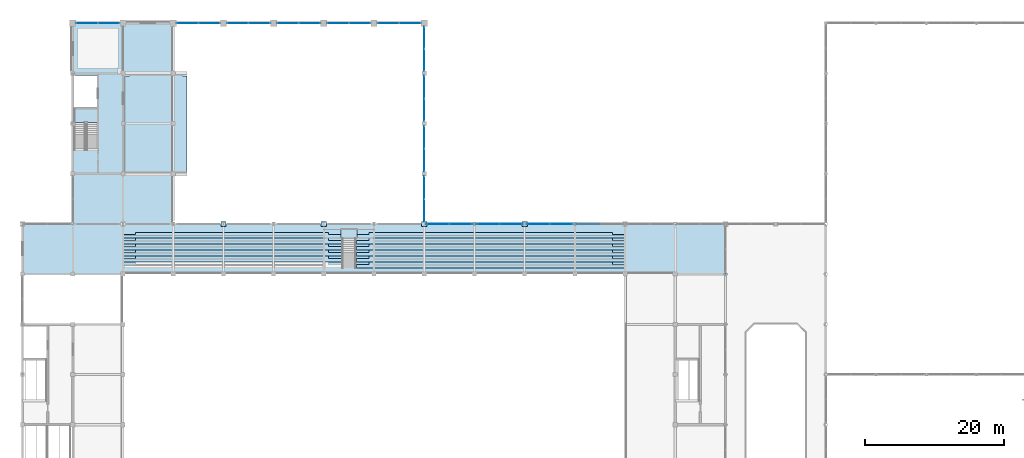
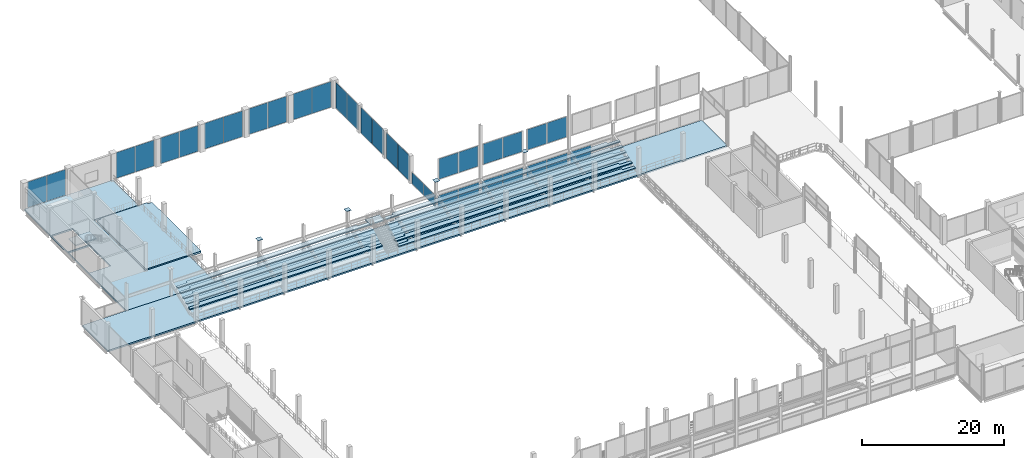
# One storey, part 83 of 120: 37 plates, 16 slabs, 18 elements without a shape of their own.
"""IFC4 building model written with IfcOpenShell, lengths in metres."""

import ifcopenshell
import ifcopenshell.guid

model = None  # the IFC model being written
_history = None  # IfcOwnerHistory: only IFC2X3 demands one
_inside = {}  # id of a spatial element -> (the spatial element, [elements in it])
_under = {}  # id of a project, library or spatial element -> (it, [spatial elements below it])
_declared = {}  # id of a project -> (the project, [libraries it declares])
_typed = {}  # id of a type object -> (the type object, [elements of that type])
_made_of = {}  # id of a material, layer set ... -> (it, [elements and type objects made of it])


def new_model(schema):
    """Start an empty IFC model of exactly this schema.

    Asked for "IFC4X3", IfcOpenShell would pick the latest addendum, in which some entities
    have other attributes; the version numbers below select the first issue.
    IFC2X3 requires an IfcOwnerHistory on every rooted entity: one is made here for all.
    """
    global model, _history
    if schema == "IFC4X3":
        model = ifcopenshell.file(schema_version=(4, 3, 0, 0))
    else:
        model = ifcopenshell.file(schema=schema)
    _inside.clear()
    _under.clear()
    _declared.clear()
    _typed.clear()
    _made_of.clear()
    _history = None
    if model.schema == "IFC2X3":
        org = make("IfcOrganization", Name="unknown")
        user = make(
            "IfcPersonAndOrganization",
            ThePerson=make("IfcPerson", FamilyName="unknown"),
            TheOrganization=org,
        )
        app = make(
            "IfcApplication",
            ApplicationDeveloper=org,
            Version="unknown",
            ApplicationFullName="unknown",
            ApplicationIdentifier="unknown",
        )
        _history = make(
            "IfcOwnerHistory",
            OwningUser=user,
            OwningApplication=app,
            ChangeAction="ADDED",
            CreationDate=0,
        )
    return model


def make(cls, **values):
    """One entity of the class cls with the attributes given. An attribute that is None is left unset."""
    return model.create_entity(
        cls, **{name: value for name, value in values.items() if value is not None}
    )


def rooted(cls, **values):
    """An entity with a GlobalId (a new one), such as an element, a storey or a relation."""
    return make(cls, GlobalId=ifcopenshell.guid.new(), OwnerHistory=_history, **values)


def si_unit(unit_type, name, prefix=None):
    """IfcSIUnit, for example si_unit("LENGTHUNIT", "METRE", prefix="MILLI")."""
    return make("IfcSIUnit", UnitType=unit_type, Prefix=prefix, Name=name)


def assignment(units):
    """IfcUnitAssignment: the units of a project."""
    return None if units is None else make("IfcUnitAssignment", Units=units)


def point(xyz):
    """IfcCartesianPoint."""
    return None if xyz is None else make("IfcCartesianPoint", Coordinates=xyz)


def direction(xyz):
    """IfcDirection."""
    return None if xyz is None else make("IfcDirection", DirectionRatios=xyz)


def frame(location, z_axis=None, x_axis=None):
    """IfcAxis2Placement3D, a coordinate frame: its origin and axes. An axis left out is left unset."""
    return make(
        "IfcAxis2Placement3D",
        Location=point(location),
        Axis=direction(z_axis),
        RefDirection=direction(x_axis),
    )


def frame_2d(location, x_axis=None):
    """IfcAxis2Placement2D, a coordinate frame in the plane: its origin and x axis."""
    return make(
        "IfcAxis2Placement2D", Location=point(location), RefDirection=direction(x_axis)
    )


def origin():
    """The frame at (0, 0, 0) with its axes left unset."""
    return frame((0.0, 0.0, 0.0))


def origin_2d():
    """The frame at (0, 0) in the plane with its x axis left unset."""
    return frame_2d((0.0, 0.0))


def place(relative_to, where):
    """IfcLocalPlacement: puts the frame where relative to a parent placement (None: the world)."""
    return make(
        "IfcLocalPlacement", PlacementRelTo=relative_to, RelativePlacement=where
    )


def context(
    kind, dimensions, precision=None, world=None, true_north=None, identifier=None
):
    """IfcGeometricRepresentationContext, for example the 3D "Model" context."""
    return make(
        "IfcGeometricRepresentationContext",
        ContextIdentifier=identifier,
        ContextType=kind,
        CoordinateSpaceDimension=dimensions,
        Precision=precision,
        WorldCoordinateSystem=world,
        TrueNorth=true_north,
    )


def subcontext(parent, identifier, kind, view, scale=None):
    """IfcGeometricRepresentationSubContext, for example "Body" below "Model"."""
    return make(
        "IfcGeometricRepresentationSubContext",
        ContextIdentifier=identifier,
        ContextType=kind,
        ParentContext=parent,
        TargetScale=scale,
        TargetView=view,
    )


def project(units=None, contexts=None):
    """IfcProject with its units and contexts."""
    return rooted(
        "IfcProject",
        Name="project",
        RepresentationContexts=contexts,
        UnitsInContext=assignment(units),
    )


def spatial(cls, under=None, at=None, **own):
    """A site, building, storey or space (cls), placed at a placement, below another one or the project."""
    s = rooted(cls, ObjectPlacement=at, **own)
    if under is not None:
        _under.setdefault(under.id(), (under, []))[1].append(s)
    return s


def polyline(points):
    """IfcPolyline through the points."""
    return make("IfcPolyline", Points=[point(p) for p in points])


def profile(cls, at=None, kind="AREA", **sizes):
    """A parametric profile (cls). Its sizes go by their IFC names, for example OverallWidth=200.0."""
    return make(cls, ProfileType=kind, Position=at, **sizes)


def rectangle(**sizes):
    """IfcRectangleProfileDef."""
    return profile("IfcRectangleProfileDef", **sizes)


def outline(outer, holes=None, kind="AREA"):
    """IfcArbitraryClosedProfileDef: a profile drawn as a closed curve; with holes, ...WithVoids."""
    if holes is None:
        return make("IfcArbitraryClosedProfileDef", ProfileType=kind, OuterCurve=outer)
    return make(
        "IfcArbitraryProfileDefWithVoids",
        ProfileType=kind,
        OuterCurve=outer,
        InnerCurves=holes,
    )


def extrude(swept, where, along, depth):
    """IfcExtrudedAreaSolid: the profile swept, set in the frame where, extruded along a direction by depth."""
    return make(
        "IfcExtrudedAreaSolid",
        SweptArea=swept,
        Position=where,
        ExtrudedDirection=direction(along),
        Depth=depth,
    )


def shape(context_of_items, identifier, shape_type, items):
    """IfcShapeRepresentation: the items that make up one representation, for example the "Body"."""
    return make(
        "IfcShapeRepresentation",
        ContextOfItems=context_of_items,
        RepresentationIdentifier=identifier,
        RepresentationType=shape_type,
        Items=items,
    )


def material(Name=None, Category=None):
    """IfcMaterial."""
    return make("IfcMaterial", Name=Name, Category=Category)


def layer(
    of_material, thickness, ventilated=None, Name=None, Category=None, Priority=None
):
    """IfcMaterialLayer: one layer of a wall or slab, of a material (None: an air gap)."""
    return make(
        "IfcMaterialLayer",
        Material=of_material,
        LayerThickness=thickness,
        IsVentilated=ventilated,
        Name=Name,
        Category=Category,
        Priority=Priority,
    )


def layer_set(layers, Name=None):
    """IfcMaterialLayerSet."""
    return make("IfcMaterialLayerSet", MaterialLayers=layers, LayerSetName=Name)


def made_of(thing, what):
    """Note that an element or type object is made of a material, layer set ...; save() writes the relation."""
    if what is not None:
        _made_of.setdefault(what.id(), (what, []))[1].append(thing)
    return thing


def type_object(cls, material=None, **own):
    """A type object (cls), such as IfcWallType, which elements share."""
    return made_of(rooted(cls, **own), material)


def element(
    cls,
    number,
    at=None,
    inside=None,
    cuts=None,
    type_object=None,
    material=None,
    context=None,
    identifier="Body",
    shape_type=None,
    held_by="IfcProductDefinitionShape",
    body=None,
    shapes=None,
    **own,
):
    """One element of the class cls, such as IfcWall. Its Tag is "e" and its number.

    at: its placement. inside: the storey or other place that contains it. cuts: it is an
    opening in that element (IfcRelVoidsElement). A single representation is given by context,
    identifier, shape_type and body (its items); several are given by shapes. held_by: the class
    of the entity that holds the representations. save() writes the other relations.
    """
    e = rooted(cls, Tag="e%d" % number, ObjectPlacement=at, **own)
    if body is not None:
        shapes = [shape(context, identifier, shape_type, body)]
    if shapes is not None:
        e.Representation = make(held_by, Representations=shapes)
    if inside is not None:
        _inside.setdefault(inside.id(), (inside, []))[1].append(e)
    if cuts is not None:
        rooted(
            "IfcRelVoidsElement", RelatingBuildingElement=cuts, RelatedOpeningElement=e
        )
    if type_object is not None:
        _typed.setdefault(type_object.id(), (type_object, []))[1].append(e)
    return made_of(e, material)


def aggregate(whole, parts):
    """IfcRelAggregates: a whole, such as a stair, and the parts it consists of."""
    return rooted("IfcRelAggregates", RelatingObject=whole, RelatedObjects=parts)


def save(model, path):
    """Write the relations noted so far, then the file.

    IfcRelAggregates (storeys below a building ...), IfcRelContainedInSpatialStructure (elements
    in a storey), IfcRelDefinesByType, IfcRelAssociatesMaterial and IfcRelDeclares: one each for
    every whole, place, type object, material and project.
    """
    for whole, parts in _under.values():
        aggregate(whole, parts)
    for where, things in _inside.values():
        rooted(
            "IfcRelContainedInSpatialStructure",
            RelatedElements=things,
            RelatingStructure=where,
        )
    for kind, things in _typed.values():
        rooted("IfcRelDefinesByType", RelatedObjects=things, RelatingType=kind)
    for what, things in _made_of.values():
        rooted("IfcRelAssociatesMaterial", RelatedObjects=things, RelatingMaterial=what)
    for by, libraries in _declared.values():
        rooted("IfcRelDeclares", RelatingContext=by, RelatedDefinitions=libraries)
    model.write(path)


model = new_model("IFC4")

# Units and contexts
model_context = context("Model", 3, precision=1e-05, world=origin(), true_north=direction((0.0, 1.0)))
body_context = subcontext(model_context, "Body", "Model", "MODEL_VIEW")
ifc_project = project(units=[si_unit("LENGTHUNIT", "METRE"), si_unit("AREAUNIT", "SQUARE_METRE"), si_unit("VOLUMEUNIT", "CUBIC_METRE"), si_unit("PLANEANGLEUNIT", "RADIAN"), si_unit("MASSUNIT", "GRAM", prefix="KILO")], contexts=[model_context])

# Site, building, storey
site_placement = place(None, origin())
site = spatial("IfcSite", under=ifc_project, at=site_placement, CompositionType="ELEMENT")
building_placement = place(site_placement, origin())
building = spatial("IfcBuilding", under=site, at=building_placement, Name="Vesperath Aquatics Centre", CompositionType="ELEMENT")
storey_placement = place(building_placement, frame((0.0, 0.0, 10.199951171875)))
storey = spatial("IfcBuildingStorey", under=building, at=storey_placement, Name="L02", CompositionType="ELEMENT", Elevation=10.199951171875)

# Plates
ifc_material_1 = material(Name="Steel Q355D", Category="steel")
ifc_layer_1 = layer(ifc_material_1, 0.035888671875)
ifc_layer_set_1 = layer_set([ifc_layer_1], Name="Steel Q355D")
plate_type_1 = type_object("IfcPlateType", Name="PT-BP02", PredefinedType="SHEET", material=ifc_layer_set_1)
for number, where, z_axis, x_axis, name in (
    (1, (28.800048828125, 86.39990234375, 4.76220703125), (0.0, 0.0, 1.0), (1.0, 0.0, 0.0), "Truss Bearing Base Plate NP02 G5/N"),
    (2, (43.199951171875, 86.39990234375, 4.76220703125), (0.0, 0.0, 1.0), (1.0, 0.0, 0.0), "Truss Bearing Base Plate NP02 G7/N"),
    (3, (57.60009765625, 86.39990234375, 4.76220703125), (0.0, 0.0, 1.0), (1.0, 0.0, 0.0), "Truss Bearing Base Plate NP02 G9/N"),
    (4, (72.0, 86.39990234375, 4.76220703125), (0.0, 0.0, 1.0), (1.0, 0.0, 0.0), "Truss Bearing Base Plate NP02 G11/N"),
):
    element("IfcPlate", number, at=place(storey_placement, frame(where, z_axis=z_axis, x_axis=x_axis)), inside=storey, type_object=plate_type_1, Name=name, PredefinedType="SHEET", context=body_context, shape_type="SweptSolid", body=[
        extrude(rectangle(XDim=0.75, YDim=0.75, at=origin_2d()), origin(), (0.0, 0.0, 1.0), 0.035888671875),
    ])

# Curtain wall, plates
ifc_material_2 = material(Name="Thermally broken anodised bronze aluminium curtain wall", Category="aluminium")
curtain_wall_type_1 = type_object("IfcCurtainWallType", Name="CW-02", PredefinedType="NOTDEFINED", material=ifc_material_2)
curtain_wall_1_placement = place(storey_placement, origin())
curtain_wall_1 = element("IfcCurtainWall", 5, at=curtain_wall_1_placement, inside=storey, type_object=curtain_wall_type_1, Name="Facade Curtain Wall CW02 L02_N_01_16", PredefinedType="NOTDEFINED")
ifc_material_3 = material(Name="Triple low-E argon insulated vision glass", Category="glass")
ifc_layer_2 = layer(ifc_material_3, 0.035888671875)
ifc_layer_set_2 = layer_set([ifc_layer_2], Name="Triple low-E argon insulated vision glass")
plate_type_2 = type_object("IfcPlateType", Name="PT-CWP02", PredefinedType="CURTAIN_PANEL", material=ifc_layer_set_2)
plate_1_placement = place(storey_placement, frame((9.242431640625, 115.199951171875, 0.070068359375), z_axis=(0.0, 0.0, 1.0), x_axis=(1.0, 0.0, 0.0)))
plate_1 = element("IfcPlate", 6, at=plate_1_placement, type_object=plate_type_2, Name="CW02 panel 1.1", PredefinedType="CURTAIN_PANEL", context=body_context, shape_type="SweptSolid", body=[
    extrude(rectangle(XDim=3.044921875, YDim=0.035888671875, at=origin_2d()), origin(), (0.0, 0.0, 1.0), 4.419921875),
])
plate_2_placement = place(storey_placement, frame((12.357421875, 115.199951171875, 0.070068359375), z_axis=(0.0, 0.0, 1.0), x_axis=(1.0, 0.0, 0.0)))
plate_2 = element("IfcPlate", 7, at=plate_2_placement, type_object=plate_type_2, Name="CW02 panel 2.1", PredefinedType="CURTAIN_PANEL", context=body_context, shape_type="SweptSolid", body=[
    extrude(rectangle(XDim=3.044921875, YDim=0.035888671875, at=origin_2d()), origin(), (0.0, 0.0, 1.0), 4.419921875),
])
aggregate(curtain_wall_1, [plate_1, plate_2])

curtain_wall_2_placement = place(storey_placement, origin())
curtain_wall_2 = element("IfcCurtainWall", 8, at=curtain_wall_2_placement, inside=storey, type_object=curtain_wall_type_1, Name="Facade Curtain Wall CW02 L02_N_03_16", PredefinedType="NOTDEFINED")
plate_3_placement = place(storey_placement, frame((23.642578125, 115.199951171875, 0.070068359375), z_axis=(0.0, 0.0, 1.0), x_axis=(1.0, 0.0, 0.0)))
plate_3 = element("IfcPlate", 9, at=plate_3_placement, type_object=plate_type_2, Name="CW02 panel 1.1", PredefinedType="CURTAIN_PANEL", context=body_context, shape_type="SweptSolid", body=[
    extrude(rectangle(XDim=3.044921875, YDim=0.035888671875, at=origin_2d()), origin(), (0.0, 0.0, 1.0), 4.419921875),
])
plate_4_placement = place(storey_placement, frame((26.757568359375, 115.199951171875, 0.070068359375), z_axis=(0.0, 0.0, 1.0), x_axis=(1.0, 0.0, 0.0)))
plate_4 = element("IfcPlate", 10, at=plate_4_placement, type_object=plate_type_2, Name="CW02 panel 2.1", PredefinedType="CURTAIN_PANEL", context=body_context, shape_type="SweptSolid", body=[
    extrude(rectangle(XDim=3.044921875, YDim=0.035888671875, at=origin_2d()), origin(), (0.0, 0.0, 1.0), 4.419921875),
])
aggregate(curtain_wall_2, [plate_3, plate_4])

curtain_wall_3_placement = place(storey_placement, origin())
curtain_wall_3 = element("IfcCurtainWall", 11, at=curtain_wall_3_placement, inside=storey, type_object=curtain_wall_type_1, Name="Facade Curtain Wall CW02 L02_N_04_16", PredefinedType="NOTDEFINED")
plate_5_placement = place(storey_placement, frame((30.842529296875, 115.199951171875, 0.070068359375), z_axis=(0.0, 0.0, 1.0), x_axis=(1.0, 0.0, 0.0)))
plate_5 = element("IfcPlate", 12, at=plate_5_placement, type_object=plate_type_2, Name="CW02 panel 1.1", PredefinedType="CURTAIN_PANEL", context=body_context, shape_type="SweptSolid", body=[
    extrude(rectangle(XDim=3.044921875, YDim=0.035888671875, at=origin_2d()), origin(), (0.0, 0.0, 1.0), 4.419921875),
])
plate_6_placement = place(storey_placement, frame((33.95751953125, 115.199951171875, 0.070068359375), z_axis=(0.0, 0.0, 1.0), x_axis=(1.0, 0.0, 0.0)))
plate_6 = element("IfcPlate", 13, at=plate_6_placement, type_object=plate_type_2, Name="CW02 panel 2.1", PredefinedType="CURTAIN_PANEL", context=body_context, shape_type="SweptSolid", body=[
    extrude(rectangle(XDim=3.044921875, YDim=0.035888671875, at=origin_2d()), origin(), (0.0, 0.0, 1.0), 4.419921875),
])
aggregate(curtain_wall_3, [plate_5, plate_6])

curtain_wall_4_placement = place(storey_placement, origin())
curtain_wall_4 = element("IfcCurtainWall", 14, at=curtain_wall_4_placement, inside=storey, type_object=curtain_wall_type_1, Name="Facade Curtain Wall CW02 L02_N_05_16", PredefinedType="NOTDEFINED")
plate_7_placement = place(storey_placement, frame((38.04248046875, 115.199951171875, 0.070068359375), z_axis=(0.0, 0.0, 1.0), x_axis=(1.0, 0.0, 0.0)))
plate_7 = element("IfcPlate", 15, at=plate_7_placement, type_object=plate_type_2, Name="CW02 panel 1.1", PredefinedType="CURTAIN_PANEL", context=body_context, shape_type="SweptSolid", body=[
    extrude(rectangle(XDim=3.044921875, YDim=0.035888671875, at=origin_2d()), origin(), (0.0, 0.0, 1.0), 4.419921875),
])
plate_8_placement = place(storey_placement, frame((41.157470703125, 115.199951171875, 0.070068359375), z_axis=(0.0, 0.0, 1.0), x_axis=(1.0, 0.0, 0.0)))
plate_8 = element("IfcPlate", 16, at=plate_8_placement, type_object=plate_type_2, Name="CW02 panel 2.1", PredefinedType="CURTAIN_PANEL", context=body_context, shape_type="SweptSolid", body=[
    extrude(rectangle(XDim=3.044921875, YDim=0.035888671875, at=origin_2d()), origin(), (0.0, 0.0, 1.0), 4.419921875),
])
aggregate(curtain_wall_4, [plate_7, plate_8])

curtain_wall_5_placement = place(storey_placement, origin())
curtain_wall_5 = element("IfcCurtainWall", 17, at=curtain_wall_5_placement, inside=storey, type_object=curtain_wall_type_1, Name="Facade Curtain Wall CW02 L02_N_06_16", PredefinedType="NOTDEFINED")
plate_9_placement = place(storey_placement, frame((45.242431640625, 115.199951171875, 0.070068359375), z_axis=(0.0, 0.0, 1.0), x_axis=(1.0, 0.0, 0.0)))
plate_9 = element("IfcPlate", 18, at=plate_9_placement, type_object=plate_type_2, Name="CW02 panel 1.1", PredefinedType="CURTAIN_PANEL", context=body_context, shape_type="SweptSolid", body=[
    extrude(rectangle(XDim=3.044921875, YDim=0.035888671875, at=origin_2d()), origin(), (0.0, 0.0, 1.0), 4.419921875),
])
plate_10_placement = place(storey_placement, frame((48.357421875, 115.199951171875, 0.070068359375), z_axis=(0.0, 0.0, 1.0), x_axis=(1.0, 0.0, 0.0)))
plate_10 = element("IfcPlate", 19, at=plate_10_placement, type_object=plate_type_2, Name="CW02 panel 2.1", PredefinedType="CURTAIN_PANEL", context=body_context, shape_type="SweptSolid", body=[
    extrude(rectangle(XDim=3.044921875, YDim=0.035888671875, at=origin_2d()), origin(), (0.0, 0.0, 1.0), 4.419921875),
])
aggregate(curtain_wall_5, [plate_9, plate_10])

curtain_wall_6_placement = place(storey_placement, origin())
curtain_wall_6 = element("IfcCurtainWall", 20, at=curtain_wall_6_placement, inside=storey, type_object=curtain_wall_type_1, Name="Facade Curtain Wall CW02 L02_N_07_16", PredefinedType="NOTDEFINED")
plate_11_placement = place(storey_placement, frame((52.4423828125, 115.199951171875, 0.070068359375), z_axis=(0.0, 0.0, 1.0), x_axis=(1.0, 0.0, 0.0)))
plate_11 = element("IfcPlate", 21, at=plate_11_placement, type_object=plate_type_2, Name="CW02 panel 1.1", PredefinedType="CURTAIN_PANEL", context=body_context, shape_type="SweptSolid", body=[
    extrude(rectangle(XDim=3.044921875, YDim=0.035888671875, at=origin_2d()), origin(), (0.0, 0.0, 1.0), 4.419921875),
])
plate_12_placement = place(storey_placement, frame((55.5576171875, 115.199951171875, 0.070068359375), z_axis=(0.0, 0.0, 1.0), x_axis=(1.0, 0.0, 0.0)))
plate_12 = element("IfcPlate", 22, at=plate_12_placement, type_object=plate_type_2, Name="CW02 panel 2.1", PredefinedType="CURTAIN_PANEL", context=body_context, shape_type="SweptSolid", body=[
    extrude(rectangle(XDim=3.044921875, YDim=0.035888671875, at=origin_2d()), origin(), (0.0, 0.0, 1.0), 4.419921875),
])
aggregate(curtain_wall_6, [plate_11, plate_12])

curtain_wall_type_2 = type_object("IfcCurtainWallType", Name="CW-06", PredefinedType="NOTDEFINED", material=ifc_material_2)
curtain_wall_7_placement = place(storey_placement, origin())
curtain_wall_7 = element("IfcCurtainWall", 23, at=curtain_wall_7_placement, inside=storey, type_object=curtain_wall_type_2, Name="Facade Curtain Wall CW06 L02_N_08_12", PredefinedType="NOTDEFINED")
ifc_layer_3 = layer(ifc_material_3, 0.035888671875)
ifc_layer_set_3 = layer_set([ifc_layer_3], Name="Triple low-E argon insulated vision glass")
plate_type_3 = type_object("IfcPlateType", Name="PT-CWP05", PredefinedType="CURTAIN_PANEL", material=ifc_layer_set_3)
plate_13_placement = place(storey_placement, frame((59.519287109375, 86.39990234375, 0.070068359375), z_axis=(0.0, 0.0, 1.0), x_axis=(1.0, 0.0, 0.0)))
plate_13 = element("IfcPlate", 24, at=plate_13_placement, type_object=plate_type_3, Name="CW06 panel 1.1", PredefinedType="CURTAIN_PANEL", context=body_context, shape_type="SweptSolid", body=[
    extrude(rectangle(XDim=3.29150390625, YDim=0.035888671875, at=origin_2d()), origin(), (0.0, 0.0, 1.0), 1.93994140625),
])
plate_14_placement = place(storey_placement, frame((62.880859375, 86.39990234375, 0.070068359375), z_axis=(0.0, 0.0, 1.0), x_axis=(1.0, 0.0, 0.0)))
plate_14 = element("IfcPlate", 25, at=plate_14_placement, type_object=plate_type_3, Name="CW06 panel 2.1", PredefinedType="CURTAIN_PANEL", context=body_context, shape_type="SweptSolid", body=[
    extrude(rectangle(XDim=3.29150390625, YDim=0.035888671875, at=origin_2d()), origin(), (0.0, 0.0, 1.0), 1.93994140625),
])
aggregate(curtain_wall_7, [plate_13, plate_14])

curtain_wall_8_placement = place(storey_placement, origin())
curtain_wall_8 = element("IfcCurtainWall", 26, at=curtain_wall_8_placement, inside=storey, type_object=curtain_wall_type_2, Name="Facade Curtain Wall CW06 L02_N_09_12", PredefinedType="NOTDEFINED")
plate_15_placement = place(storey_placement, frame((66.71923828125, 86.39990234375, 0.070068359375), z_axis=(0.0, 0.0, 1.0), x_axis=(1.0, 0.0, 0.0)))
plate_15 = element("IfcPlate", 27, at=plate_15_placement, type_object=plate_type_3, Name="CW06 panel 1.1", PredefinedType="CURTAIN_PANEL", context=body_context, shape_type="SweptSolid", body=[
    extrude(rectangle(XDim=3.29150390625, YDim=0.035888671875, at=origin_2d()), origin(), (0.0, 0.0, 1.0), 1.93994140625),
])
plate_16_placement = place(storey_placement, frame((70.080810546875, 86.39990234375, 0.070068359375), z_axis=(0.0, 0.0, 1.0), x_axis=(1.0, 0.0, 0.0)))
plate_16 = element("IfcPlate", 28, at=plate_16_placement, type_object=plate_type_3, Name="CW06 panel 2.1", PredefinedType="CURTAIN_PANEL", context=body_context, shape_type="SweptSolid", body=[
    extrude(rectangle(XDim=3.29150390625, YDim=0.035888671875, at=origin_2d()), origin(), (0.0, 0.0, 1.0), 1.93994140625),
])
aggregate(curtain_wall_8, [plate_15, plate_16])

curtain_wall_9_placement = place(storey_placement, origin())
curtain_wall_9 = element("IfcCurtainWall", 29, at=curtain_wall_9_placement, inside=storey, type_object=curtain_wall_type_2, Name="Facade Curtain Wall CW06 L02_N_10_12", PredefinedType="NOTDEFINED")
plate_17_placement = place(storey_placement, frame((73.919189453125, 86.39990234375, 0.070068359375), z_axis=(0.0, 0.0, 1.0), x_axis=(1.0, 0.0, 0.0)))
plate_17 = element("IfcPlate", 30, at=plate_17_placement, type_object=plate_type_3, Name="CW06 panel 1.1", PredefinedType="CURTAIN_PANEL", context=body_context, shape_type="SweptSolid", body=[
    extrude(rectangle(XDim=3.29150390625, YDim=0.035888671875, at=origin_2d()), origin(), (0.0, 0.0, 1.0), 1.93994140625),
])
plate_18_placement = place(storey_placement, frame((77.28076171875, 86.39990234375, 0.070068359375), z_axis=(0.0, 0.0, 1.0), x_axis=(1.0, 0.0, 0.0)))
plate_18 = element("IfcPlate", 31, at=plate_18_placement, type_object=plate_type_3, Name="CW06 panel 2.1", PredefinedType="CURTAIN_PANEL", context=body_context, shape_type="SweptSolid", body=[
    extrude(rectangle(XDim=3.29150390625, YDim=0.035888671875, at=origin_2d()), origin(), (0.0, 0.0, 1.0), 1.93994140625),
])
aggregate(curtain_wall_9, [plate_17, plate_18])

# Curtain wall, plate
curtain_wall_10_placement = place(storey_placement, origin())
curtain_wall_10 = element("IfcCurtainWall", 32, at=curtain_wall_10_placement, inside=storey, type_object=curtain_wall_type_2, Name="Facade Curtain Wall CW06 L02_N_11_12", PredefinedType="NOTDEFINED")
plate_19_placement = place(storey_placement, frame((81.119140625, 86.39990234375, 0.070068359375), z_axis=(0.0, 0.0, 1.0), x_axis=(1.0, 0.0, 0.0)))
plate_19 = element("IfcPlate", 33, at=plate_19_placement, type_object=plate_type_3, Name="CW06 panel 1.1", PredefinedType="CURTAIN_PANEL", context=body_context, shape_type="SweptSolid", body=[
    extrude(rectangle(XDim=3.29150390625, YDim=0.035888671875, at=origin_2d()), origin(), (0.0, 0.0, 1.0), 1.93994140625),
])
aggregate(curtain_wall_10, [plate_19])

# Curtain wall, plates
curtain_wall_11_placement = place(storey_placement, origin())
curtain_wall_11 = element("IfcCurtainWall", 34, at=curtain_wall_11_placement, inside=storey, type_object=curtain_wall_type_2, Name="Facade Curtain Wall CW06 L02_E_08_12", PredefinedType="NOTDEFINED")
plate_20_placement = place(storey_placement, frame((57.60009765625, 88.302978515625, 0.070068359375), z_axis=(0.0, 0.0, 1.0), x_axis=(0.0, 1.0, 0.0)))
plate_20 = element("IfcPlate", 35, at=plate_20_placement, type_object=plate_type_3, Name="CW06 panel 1.1", PredefinedType="CURTAIN_PANEL", context=body_context, shape_type="SweptSolid", body=[
    extrude(rectangle(XDim=3.238037109375, YDim=0.035888671875, at=origin_2d()), origin(), (0.0, 0.0, 1.0), 1.9599609375),
])
plate_21_placement = place(storey_placement, frame((57.60009765625, 91.611083984375, 0.070068359375), z_axis=(0.0, 0.0, 1.0), x_axis=(0.0, 1.0, 0.0)))
plate_21 = element("IfcPlate", 36, at=plate_21_placement, type_object=plate_type_3, Name="CW06 panel 2.1", PredefinedType="CURTAIN_PANEL", context=body_context, shape_type="SweptSolid", body=[
    extrude(rectangle(XDim=3.238037109375, YDim=0.035888671875, at=origin_2d()), origin(), (0.0, 0.0, 1.0), 1.9599609375),
])
aggregate(curtain_wall_11, [plate_20, plate_21])

curtain_wall_12_placement = place(storey_placement, origin())
curtain_wall_12 = element("IfcCurtainWall", 37, at=curtain_wall_12_placement, inside=storey, type_object=curtain_wall_type_2, Name="Facade Curtain Wall CW06 L02_E_08_13", PredefinedType="NOTDEFINED")
plate_22_placement = place(storey_placement, frame((57.60009765625, 95.5673828125, 0.070068359375), z_axis=(0.0, 0.0, 1.0), x_axis=(0.0, 1.0, 0.0)))
plate_22 = element("IfcPlate", 38, at=plate_22_placement, type_object=plate_type_3, Name="CW06 panel 1.1", PredefinedType="CURTAIN_PANEL", context=body_context, shape_type="SweptSolid", body=[
    extrude(rectangle(XDim=3.195068359375, YDim=0.035888671875, at=origin_2d()), origin(), (0.0, 0.0, 1.0), 4.419921875),
])
plate_23_placement = place(storey_placement, frame((57.60009765625, 98.83251953125, 0.070068359375), z_axis=(0.0, 0.0, 1.0), x_axis=(0.0, 1.0, 0.0)))
plate_23 = element("IfcPlate", 39, at=plate_23_placement, type_object=plate_type_3, Name="CW06 panel 2.1", PredefinedType="CURTAIN_PANEL", context=body_context, shape_type="SweptSolid", body=[
    extrude(rectangle(XDim=3.195068359375, YDim=0.035888671875, at=origin_2d()), origin(), (0.0, 0.0, 1.0), 4.419921875),
])
aggregate(curtain_wall_12, [plate_22, plate_23])

curtain_wall_13_placement = place(storey_placement, origin())
curtain_wall_13 = element("IfcCurtainWall", 40, at=curtain_wall_13_placement, inside=storey, type_object=curtain_wall_type_2, Name="Facade Curtain Wall CW06 L02_E_08_14", PredefinedType="NOTDEFINED")
plate_24_placement = place(storey_placement, frame((57.60009765625, 102.767578125, 0.070068359375), z_axis=(0.0, 0.0, 1.0), x_axis=(0.0, 1.0, 0.0)))
plate_24 = element("IfcPlate", 41, at=plate_24_placement, type_object=plate_type_3, Name="CW06 panel 1.1", PredefinedType="CURTAIN_PANEL", context=body_context, shape_type="SweptSolid", body=[
    extrude(rectangle(XDim=3.195068359375, YDim=0.035888671875, at=origin_2d()), origin(), (0.0, 0.0, 1.0), 4.419921875),
])
plate_25_placement = place(storey_placement, frame((57.60009765625, 106.032470703125, 0.070068359375), z_axis=(0.0, 0.0, 1.0), x_axis=(0.0, 1.0, 0.0)))
plate_25 = element("IfcPlate", 42, at=plate_25_placement, type_object=plate_type_3, Name="CW06 panel 2.1", PredefinedType="CURTAIN_PANEL", context=body_context, shape_type="SweptSolid", body=[
    extrude(rectangle(XDim=3.195068359375, YDim=0.035888671875, at=origin_2d()), origin(), (0.0, 0.0, 1.0), 4.419921875),
])
aggregate(curtain_wall_13, [plate_24, plate_25])

curtain_wall_14_placement = place(storey_placement, origin())
curtain_wall_14 = element("IfcCurtainWall", 43, at=curtain_wall_14_placement, inside=storey, type_object=curtain_wall_type_2, Name="Facade Curtain Wall CW06 L02_E_08_15", PredefinedType="NOTDEFINED")
plate_26_placement = place(storey_placement, frame((57.60009765625, 109.929931640625, 0.070068359375), z_axis=(0.0, 0.0, 1.0), x_axis=(0.0, 1.0, 0.0)))
plate_26 = element("IfcPlate", 44, at=plate_26_placement, type_object=plate_type_3, Name="CW06 panel 1.1", PredefinedType="CURTAIN_PANEL", context=body_context, shape_type="SweptSolid", body=[
    extrude(rectangle(XDim=3.1201171875, YDim=0.035888671875, at=origin_2d()), origin(), (0.0, 0.0, 1.0), 4.419921875),
])
plate_27_placement = place(storey_placement, frame((57.60009765625, 113.1201171875, 0.070068359375), z_axis=(0.0, 0.0, 1.0), x_axis=(0.0, 1.0, 0.0)))
plate_27 = element("IfcPlate", 45, at=plate_27_placement, type_object=plate_type_3, Name="CW06 panel 2.1", PredefinedType="CURTAIN_PANEL", context=body_context, shape_type="SweptSolid", body=[
    extrude(rectangle(XDim=3.1201171875, YDim=0.035888671875, at=origin_2d()), origin(), (0.0, 0.0, 1.0), 4.419921875),
])
aggregate(curtain_wall_14, [plate_26, plate_27])

curtain_wall_type_3 = type_object("IfcCurtainWallType", Name="CW-08", PredefinedType="NOTDEFINED", material=ifc_material_2)
curtain_wall_15_placement = place(storey_placement, origin())
curtain_wall_15 = element("IfcCurtainWall", 46, at=curtain_wall_15_placement, inside=storey, type_object=curtain_wall_type_3, Name="Natatorium Gable West Curtain Wall CW08 N-5W", PredefinedType="NOTDEFINED")
ifc_layer_4 = layer(ifc_material_3, 0.035888671875)
ifc_layer_set_4 = layer_set([ifc_layer_4], Name="Triple low-E argon insulated vision glass")
plate_type_4 = type_object("IfcPlateType", Name="PT-CWP07", PredefinedType="CURTAIN_PANEL", material=ifc_layer_set_4)
plate_28_placement = place(storey_placement, frame((59.59375, 86.39990234375, 4.824951171875), z_axis=(0.0, 0.0, 1.0), x_axis=(1.0, 0.0, 0.0)))
plate_28 = element("IfcPlate", 47, at=plate_28_placement, type_object=plate_type_4, Name="CW08 panel 1.1", PredefinedType="CURTAIN_PANEL", context=body_context, shape_type="SweptSolid", body=[
    extrude(rectangle(XDim=3.137451171875, YDim=0.035888671875, at=origin_2d()), origin(), (0.0, 0.0, 1.0), 3.5),
])
plate_29_placement = place(storey_placement, frame((62.80615234375, 86.39990234375, 4.824951171875), z_axis=(0.0, 0.0, 1.0), x_axis=(1.0, 0.0, 0.0)))
plate_29 = element("IfcPlate", 48, at=plate_29_placement, type_object=plate_type_4, Name="CW08 panel 2.1", PredefinedType="CURTAIN_PANEL", context=body_context, shape_type="SweptSolid", body=[
    extrude(rectangle(XDim=3.137451171875, YDim=0.035888671875, at=origin_2d()), origin(), (0.0, 0.0, 1.0), 3.5),
])
aggregate(curtain_wall_15, [plate_28, plate_29])

curtain_wall_16_placement = place(storey_placement, origin())
curtain_wall_16 = element("IfcCurtainWall", 49, at=curtain_wall_16_placement, inside=storey, type_object=curtain_wall_type_3, Name="Natatorium Gable East Curtain Wall CW08 N-5E", PredefinedType="NOTDEFINED")
plate_30_placement = place(storey_placement, frame((66.793701171875, 86.39990234375, 4.824951171875), z_axis=(0.0, 0.0, 1.0), x_axis=(1.0, 0.0, 0.0)))
plate_30 = element("IfcPlate", 50, at=plate_30_placement, type_object=plate_type_4, Name="CW08 panel 1.1", PredefinedType="CURTAIN_PANEL", context=body_context, shape_type="SweptSolid", body=[
    extrude(rectangle(XDim=3.137451171875, YDim=0.035888671875, at=origin_2d()), origin(), (0.0, 0.0, 1.0), 3.5),
])
plate_31_placement = place(storey_placement, frame((70.00634765625, 86.39990234375, 4.824951171875), z_axis=(0.0, 0.0, 1.0), x_axis=(1.0, 0.0, 0.0)))
plate_31 = element("IfcPlate", 51, at=plate_31_placement, type_object=plate_type_4, Name="CW08 panel 2.1", PredefinedType="CURTAIN_PANEL", context=body_context, shape_type="SweptSolid", body=[
    extrude(rectangle(XDim=3.137451171875, YDim=0.035888671875, at=origin_2d()), origin(), (0.0, 0.0, 1.0), 3.5),
])
aggregate(curtain_wall_16, [plate_30, plate_31])

curtain_wall_17_placement = place(storey_placement, origin())
curtain_wall_17 = element("IfcCurtainWall", 52, at=curtain_wall_17_placement, inside=storey, type_object=curtain_wall_type_3, Name="Natatorium Gable West Curtain Wall CW08 N-6W", PredefinedType="NOTDEFINED")
plate_32_placement = place(storey_placement, frame((73.99365234375, 86.39990234375, 4.824951171875), z_axis=(0.0, 0.0, 1.0), x_axis=(1.0, 0.0, 0.0)))
plate_32 = element("IfcPlate", 53, at=plate_32_placement, type_object=plate_type_4, Name="CW08 panel 1.1", PredefinedType="CURTAIN_PANEL", context=body_context, shape_type="SweptSolid", body=[
    extrude(rectangle(XDim=3.137451171875, YDim=0.035888671875, at=origin_2d()), origin(), (0.0, 0.0, 1.0), 3.5),
])
plate_33_placement = place(storey_placement, frame((77.206298828125, 86.39990234375, 4.824951171875), z_axis=(0.0, 0.0, 1.0), x_axis=(1.0, 0.0, 0.0)))
plate_33 = element("IfcPlate", 54, at=plate_33_placement, type_object=plate_type_4, Name="CW08 panel 2.1", PredefinedType="CURTAIN_PANEL", context=body_context, shape_type="SweptSolid", body=[
    extrude(rectangle(XDim=3.137451171875, YDim=0.035888671875, at=origin_2d()), origin(), (0.0, 0.0, 1.0), 3.5),
])
aggregate(curtain_wall_17, [plate_32, plate_33])

# Slabs
ifc_material_4 = material(Name="Concrete C40", Category="concrete")
ifc_layer_5 = layer(ifc_material_4, 0.320068359375)
ifc_layer_set_5 = layer_set([ifc_layer_5], Name="Concrete C40")
slab_type_1 = type_object("IfcSlabType", Name="SL-DP01", PredefinedType="FLOOR", material=ifc_layer_set_5)
slab_1_placement = place(storey_placement, frame((0.0, 0.0, -0.2548828125)))
element("IfcSlab", 55, at=slab_1_placement, inside=storey, type_object=slab_type_1, Name="Diving Platform Slab DP 10M", PredefinedType="FLOOR", context=body_context, shape_type="SweptSolid", body=[
    extrude(outline(polyline([(14.60009765625, 93.75), (23.60009765625, 93.75), (23.60009765625, 107.60009765625), (22.89990234375, 107.60009765625), (22.89990234375, 107.85009765625), (15.300048828125, 107.85009765625), (15.300048828125, 107.60009765625), (14.60009765625, 107.60009765625), (14.60009765625, 93.75)])), origin(), (0.0, 0.0, 1.0), 0.31982421875),
])
ifc_material_5 = material(Name="Concrete C35", Category="concrete")
ifc_layer_6 = layer(ifc_material_5, 0.260009765625)
ifc_layer_set_6 = layer_set([ifc_layer_6], Name="Concrete C35")
slab_type_2 = type_object("IfcSlabType", Name="SL-FL02", PredefinedType="FLOOR", material=ifc_layer_set_6)
slab_2_placement = place(storey_placement, frame((0.0, 0.0, -0.260009765625)))
element("IfcSlab", 56, at=slab_2_placement, inside=storey, type_object=slab_type_2, Name="Upper North Media Gallery Slab SL02 L02", PredefinedType="FLOOR", context=body_context, shape_type="SweptSolid", body=[
    extrude(outline(polyline([(0.0, 79.199951171875), (100.800048828125, 79.199951171875), (100.800048828125, 86.39990234375), (0.0, 86.39990234375), (0.0, 79.199951171875)])), origin(), (0.0, 0.0, 1.0), 0.260009765625),
])
slab_3_placement = place(storey_placement, frame((0.0, 0.0, -0.260009765625)))
element("IfcSlab", 57, at=slab_3_placement, inside=storey, type_object=slab_type_2, Name="Dryland Diving Hall Slab SL02 L02", PredefinedType="FLOOR", context=body_context, shape_type="SweptSolid", body=[
    extrude(outline(polyline([(7.199951171875, 86.39990234375), (21.60009765625, 86.39990234375), (21.60009765625, 93.60009765625), (14.39990234375, 93.60009765625), (14.39990234375, 108.0), (21.60009765625, 108.0), (21.60009765625, 115.199951171875), (7.199951171875, 115.199951171875), (7.199951171875, 86.39990234375)]), holes=[polyline([(7.280029296875, 97.050048828125), (10.739990234375, 97.050048828125), (10.739990234375, 102.9599609375), (7.280029296875, 102.9599609375), (7.280029296875, 97.050048828125)]), polyline([(7.280029296875, 103.139892578125), (10.739990234375, 103.139892578125), (10.739990234375, 107.679931640625), (7.280029296875, 107.679931640625), (7.280029296875, 103.139892578125)])]), origin(), (0.0, 0.0, 1.0), 0.260009765625),
])
ifc_layer_7 = layer(ifc_material_5, 0.219970703125)
ifc_layer_set_7 = layer_set([ifc_layer_7], Name="Concrete C35")
slab_type_3 = type_object("IfcSlabType", Name="SL-FL04", PredefinedType="FLOOR", material=ifc_layer_set_7)
slab_4_placement = place(storey_placement, frame((0.0, 0.0, 2.429931640625)))
element("IfcSlab", 58, at=slab_4_placement, inside=storey, type_object=slab_type_3, Name="Upper Vomitory Top Landing Slab VOM08", PredefinedType="FLOOR", context=body_context, shape_type="SweptSolid", body=[
    extrude(outline(polyline([(45.64990234375, 84.297119140625), (47.949951171875, 84.297119140625), (47.949951171875, 85.719970703125), (45.64990234375, 85.719970703125), (45.64990234375, 84.297119140625)])), origin(), (0.0, 0.0, 1.0), 0.22021484375),
])

# Stair, slab
stair_type = type_object("IfcStairType", Name="ST-HT48", PredefinedType="HALF_TURN_STAIR", material=ifc_material_5)
stair_placement = place(storey_placement, origin())
stair = element("IfcStair", 59, at=stair_placement, inside=storey, type_object=stair_type, Name="Enclosed Exit Stair ST3 L02", PredefinedType="HALF_TURN_STAIR")
ifc_layer_8 = layer(ifc_material_5, 0.199951171875)
ifc_layer_set_8 = layer_set([ifc_layer_8], Name="Concrete C35")
slab_type_4 = type_object("IfcSlabType", Name="SL-LND1", PredefinedType="LANDING", material=ifc_layer_set_8)
slab_5_placement = place(storey_placement, frame((0.0, 0.0, 2.199951171875)))
slab_5 = element("IfcSlab", 60, at=slab_5_placement, type_object=slab_type_4, Name="Stair ST3 Half-Landing L02", PredefinedType="LANDING", context=body_context, shape_type="SweptSolid", body=[
    extrude(outline(polyline([(7.2900390625, 100.93994140625), (10.719970703125, 100.93994140625), (10.719970703125, 102.89990234375), (7.2900390625, 102.89990234375), (7.2900390625, 100.93994140625)])), origin(), (0.0, 0.0, 1.0), 0.2001953125),
])
aggregate(stair, [slab_5])

# Slabs
ifc_material_6 = material(Name="Precast concrete C35", Category="concrete")
ifc_layer_9 = layer(ifc_material_6, 0.179931640625)
ifc_layer_set_9 = layer_set([ifc_layer_9], Name="Precast concrete C35")
slab_type_5 = type_object("IfcSlabType", Name="SL-ST01", PredefinedType="USERDEFINED", material=ifc_layer_set_9)
slab_6_placement = place(storey_placement, frame((0.0, 0.0, 0.469970703125)))
element("IfcSlab", 61, at=slab_6_placement, inside=storey, type_object=slab_type_5, Name="Stand Upper North U2 Row 1", ObjectType="SEATING TIER", PredefinedType="USERDEFINED", context=body_context, shape_type="SweptSolid", body=[
    extrude(outline(polyline([(47.89990234375, 80.10009765625), (86.39990234375, 80.10009765625), (86.39990234375, 80.610107421875), (84.60009765625, 80.610107421875), (84.60009765625, 80.949951171875), (49.699951171875, 80.949951171875), (49.699951171875, 80.610107421875), (47.89990234375, 80.610107421875), (47.89990234375, 80.10009765625)])), origin(), (0.0, 0.0, 1.0), 0.18017578125),
])
slab_7_placement = place(storey_placement, frame((0.0, 0.0, 0.8701171875)))
element("IfcSlab", 62, at=slab_7_placement, inside=storey, type_object=slab_type_5, Name="Stand Upper North U1 Row 2", ObjectType="SEATING TIER", PredefinedType="USERDEFINED", context=body_context, shape_type="SweptSolid", body=[
    extrude(outline(polyline([(14.39990234375, 80.949951171875), (45.699951171875, 80.949951171875), (45.699951171875, 81.4599609375), (43.89990234375, 81.4599609375), (43.89990234375, 81.800048828125), (16.199951171875, 81.800048828125), (16.199951171875, 81.4599609375), (14.39990234375, 81.4599609375), (14.39990234375, 80.949951171875)])), origin(), (0.0, 0.0, 1.0), 0.179931640625),
])
slab_8_placement = place(storey_placement, frame((0.0, 0.0, 0.8701171875)))
element("IfcSlab", 63, at=slab_8_placement, inside=storey, type_object=slab_type_5, Name="Stand Upper North U2 Row 2", ObjectType="SEATING TIER", PredefinedType="USERDEFINED", context=body_context, shape_type="SweptSolid", body=[
    extrude(outline(polyline([(47.89990234375, 80.949951171875), (86.39990234375, 80.949951171875), (86.39990234375, 81.4599609375), (84.60009765625, 81.4599609375), (84.60009765625, 81.800048828125), (49.699951171875, 81.800048828125), (49.699951171875, 81.4599609375), (47.89990234375, 81.4599609375), (47.89990234375, 80.949951171875)])), origin(), (0.0, 0.0, 1.0), 0.179931640625),
])
slab_9_placement = place(storey_placement, frame((0.0, 0.0, 1.27001953125)))
element("IfcSlab", 64, at=slab_9_placement, inside=storey, type_object=slab_type_5, Name="Stand Upper North U1 Row 3", ObjectType="SEATING TIER", PredefinedType="USERDEFINED", context=body_context, shape_type="SweptSolid", body=[
    extrude(outline(polyline([(14.39990234375, 81.800048828125), (45.699951171875, 81.800048828125), (45.699951171875, 82.31005859375), (43.89990234375, 82.31005859375), (43.89990234375, 82.64990234375), (16.199951171875, 82.64990234375), (16.199951171875, 82.31005859375), (14.39990234375, 82.31005859375), (14.39990234375, 81.800048828125)])), origin(), (0.0, 0.0, 1.0), 0.179931640625),
])
slab_10_placement = place(storey_placement, frame((0.0, 0.0, 1.27001953125)))
element("IfcSlab", 65, at=slab_10_placement, inside=storey, type_object=slab_type_5, Name="Stand Upper North U2 Row 3", ObjectType="SEATING TIER", PredefinedType="USERDEFINED", context=body_context, shape_type="SweptSolid", body=[
    extrude(outline(polyline([(47.89990234375, 81.800048828125), (86.39990234375, 81.800048828125), (86.39990234375, 82.31005859375), (84.60009765625, 82.31005859375), (84.60009765625, 82.64990234375), (49.699951171875, 82.64990234375), (49.699951171875, 82.31005859375), (47.89990234375, 82.31005859375), (47.89990234375, 81.800048828125)])), origin(), (0.0, 0.0, 1.0), 0.179931640625),
])
slab_11_placement = place(storey_placement, frame((0.0, 0.0, 1.670166015625)))
element("IfcSlab", 66, at=slab_11_placement, inside=storey, type_object=slab_type_5, Name="Stand Upper North U1 Row 4", ObjectType="SEATING TIER", PredefinedType="USERDEFINED", context=body_context, shape_type="SweptSolid", body=[
    extrude(outline(polyline([(14.39990234375, 82.64990234375), (45.699951171875, 82.64990234375), (45.699951171875, 83.159912109375), (43.89990234375, 83.159912109375), (43.89990234375, 83.5), (16.199951171875, 83.5), (16.199951171875, 83.159912109375), (14.39990234375, 83.159912109375), (14.39990234375, 82.64990234375)])), origin(), (0.0, 0.0, 1.0), 0.179931640625),
])
slab_12_placement = place(storey_placement, frame((0.0, 0.0, 1.670166015625)))
element("IfcSlab", 67, at=slab_12_placement, inside=storey, type_object=slab_type_5, Name="Stand Upper North U2 Row 4", ObjectType="SEATING TIER", PredefinedType="USERDEFINED", context=body_context, shape_type="SweptSolid", body=[
    extrude(outline(polyline([(47.89990234375, 82.64990234375), (86.39990234375, 82.64990234375), (86.39990234375, 83.159912109375), (84.60009765625, 83.159912109375), (84.60009765625, 83.5), (49.699951171875, 83.5), (49.699951171875, 83.159912109375), (47.89990234375, 83.159912109375), (47.89990234375, 82.64990234375)])), origin(), (0.0, 0.0, 1.0), 0.179931640625),
])
slab_13_placement = place(storey_placement, frame((0.0, 0.0, 2.070068359375)))
element("IfcSlab", 68, at=slab_13_placement, inside=storey, type_object=slab_type_5, Name="Stand Upper North U1 Row 5", ObjectType="SEATING TIER", PredefinedType="USERDEFINED", context=body_context, shape_type="SweptSolid", body=[
    extrude(outline(polyline([(14.39990234375, 83.5), (45.699951171875, 83.5), (45.699951171875, 84.010009765625), (43.89990234375, 84.010009765625), (43.89990234375, 84.35009765625), (16.199951171875, 84.35009765625), (16.199951171875, 84.010009765625), (14.39990234375, 84.010009765625), (14.39990234375, 83.5)])), origin(), (0.0, 0.0, 1.0), 0.179931640625),
])
slab_14_placement = place(storey_placement, frame((0.0, 0.0, 2.070068359375)))
element("IfcSlab", 69, at=slab_14_placement, inside=storey, type_object=slab_type_5, Name="Stand Upper North U2 Row 5", ObjectType="SEATING TIER", PredefinedType="USERDEFINED", context=body_context, shape_type="SweptSolid", body=[
    extrude(outline(polyline([(47.89990234375, 83.5), (86.39990234375, 83.5), (86.39990234375, 84.010009765625), (84.60009765625, 84.010009765625), (84.60009765625, 84.35009765625), (49.699951171875, 84.35009765625), (49.699951171875, 84.010009765625), (47.89990234375, 84.010009765625), (47.89990234375, 83.5)])), origin(), (0.0, 0.0, 1.0), 0.179931640625),
])
slab_15_placement = place(storey_placement, frame((0.0, 0.0, 2.469970703125)))
element("IfcSlab", 70, at=slab_15_placement, inside=storey, type_object=slab_type_5, Name="Stand Upper North U1 Row 6", ObjectType="SEATING TIER", PredefinedType="USERDEFINED", context=body_context, shape_type="SweptSolid", body=[
    extrude(outline(polyline([(14.39990234375, 84.35009765625), (45.699951171875, 84.35009765625), (45.699951171875, 84.860107421875), (43.89990234375, 84.860107421875), (43.89990234375, 85.199951171875), (16.199951171875, 85.199951171875), (16.199951171875, 84.860107421875), (14.39990234375, 84.860107421875), (14.39990234375, 84.35009765625)])), origin(), (0.0, 0.0, 1.0), 0.18017578125),
])
slab_16_placement = place(storey_placement, frame((0.0, 0.0, 2.469970703125)))
element("IfcSlab", 71, at=slab_16_placement, inside=storey, type_object=slab_type_5, Name="Stand Upper North U2 Row 6", ObjectType="SEATING TIER", PredefinedType="USERDEFINED", context=body_context, shape_type="SweptSolid", body=[
    extrude(outline(polyline([(47.89990234375, 84.35009765625), (86.39990234375, 84.35009765625), (86.39990234375, 84.860107421875), (84.60009765625, 84.860107421875), (84.60009765625, 85.199951171875), (49.699951171875, 85.199951171875), (49.699951171875, 84.860107421875), (47.89990234375, 84.860107421875), (47.89990234375, 84.35009765625)])), origin(), (0.0, 0.0, 1.0), 0.18017578125),
])

save(model, "model.ifc")
